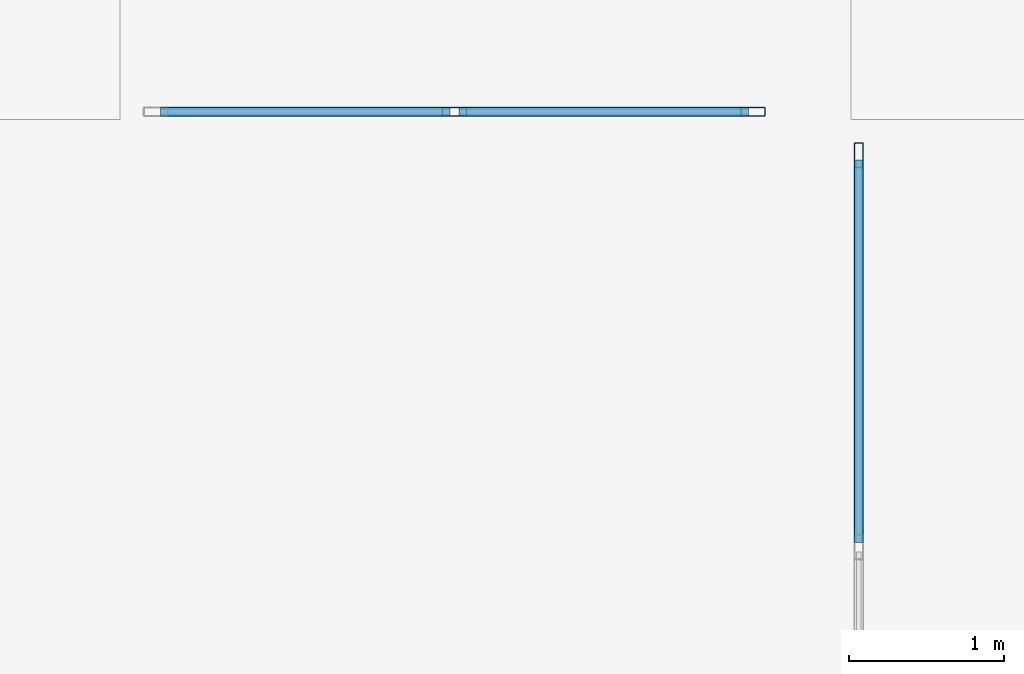
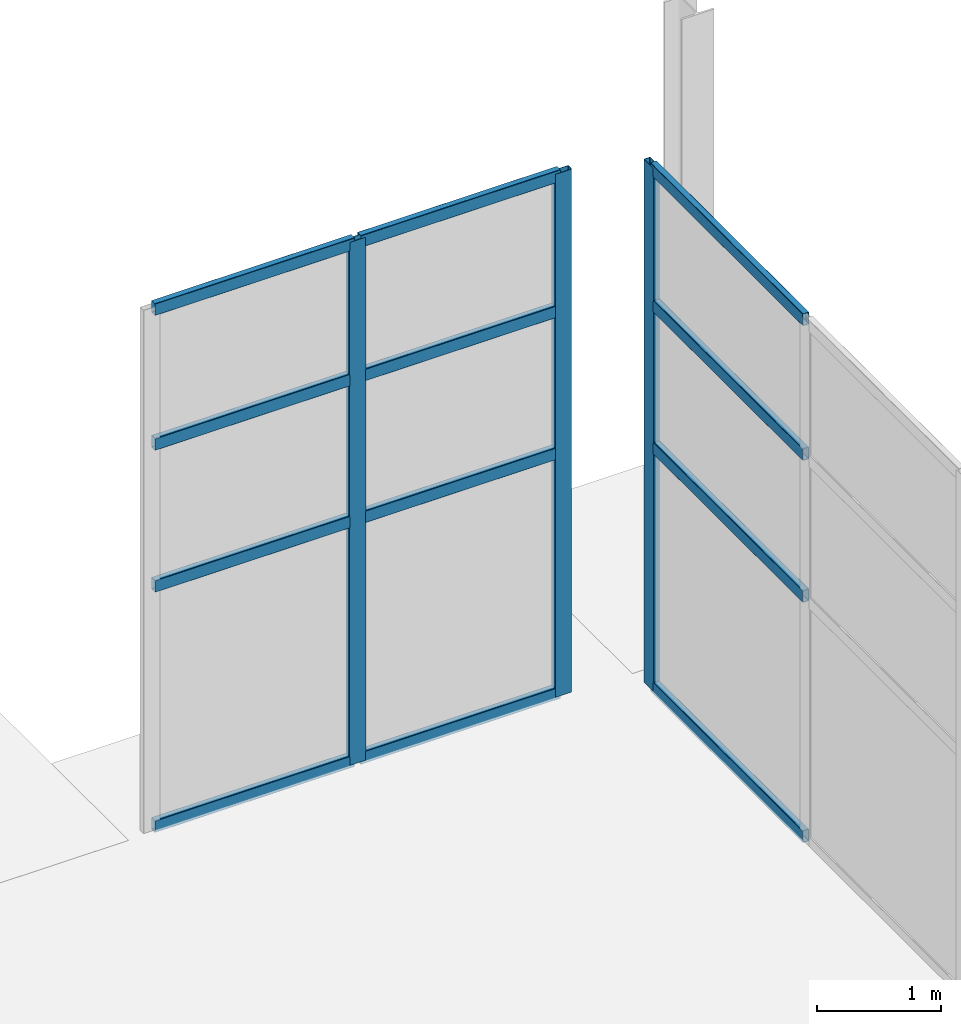
# One storey, part 44 of 91: 15 members, 2 elements without a shape of their own.
"""IFC4 building model written with IfcOpenShell, lengths in metres."""

import ifcopenshell
import ifcopenshell.guid

model = None  # the IFC model being written
_history = None  # IfcOwnerHistory: only IFC2X3 demands one
_inside = {}  # id of a spatial element -> (the spatial element, [elements in it])
_under = {}  # id of a project, library or spatial element -> (it, [spatial elements below it])
_declared = {}  # id of a project -> (the project, [libraries it declares])
_typed = {}  # id of a type object -> (the type object, [elements of that type])
_made_of = {}  # id of a material, layer set ... -> (it, [elements and type objects made of it])


def new_model(schema):
    """Start an empty IFC model of exactly this schema.

    Asked for "IFC4X3", IfcOpenShell would pick the latest addendum, in which some entities
    have other attributes; the version numbers below select the first issue.
    IFC2X3 requires an IfcOwnerHistory on every rooted entity: one is made here for all.
    """
    global model, _history
    if schema == "IFC4X3":
        model = ifcopenshell.file(schema_version=(4, 3, 0, 0))
    else:
        model = ifcopenshell.file(schema=schema)
    _inside.clear()
    _under.clear()
    _declared.clear()
    _typed.clear()
    _made_of.clear()
    _history = None
    if model.schema == "IFC2X3":
        org = make("IfcOrganization", Name="unknown")
        user = make(
            "IfcPersonAndOrganization",
            ThePerson=make("IfcPerson", FamilyName="unknown"),
            TheOrganization=org,
        )
        app = make(
            "IfcApplication",
            ApplicationDeveloper=org,
            Version="unknown",
            ApplicationFullName="unknown",
            ApplicationIdentifier="unknown",
        )
        _history = make(
            "IfcOwnerHistory",
            OwningUser=user,
            OwningApplication=app,
            ChangeAction="ADDED",
            CreationDate=0,
        )
    return model


def make(cls, **values):
    """One entity of the class cls with the attributes given. An attribute that is None is left unset."""
    return model.create_entity(
        cls, **{name: value for name, value in values.items() if value is not None}
    )


def rooted(cls, **values):
    """An entity with a GlobalId (a new one), such as an element, a storey or a relation."""
    return make(cls, GlobalId=ifcopenshell.guid.new(), OwnerHistory=_history, **values)


def si_unit(unit_type, name, prefix=None):
    """IfcSIUnit, for example si_unit("LENGTHUNIT", "METRE", prefix="MILLI")."""
    return make("IfcSIUnit", UnitType=unit_type, Prefix=prefix, Name=name)


def assignment(units):
    """IfcUnitAssignment: the units of a project."""
    return None if units is None else make("IfcUnitAssignment", Units=units)


def point(xyz):
    """IfcCartesianPoint."""
    return None if xyz is None else make("IfcCartesianPoint", Coordinates=xyz)


def direction(xyz):
    """IfcDirection."""
    return None if xyz is None else make("IfcDirection", DirectionRatios=xyz)


def frame(location, z_axis=None, x_axis=None):
    """IfcAxis2Placement3D, a coordinate frame: its origin and axes. An axis left out is left unset."""
    return make(
        "IfcAxis2Placement3D",
        Location=point(location),
        Axis=direction(z_axis),
        RefDirection=direction(x_axis),
    )


def frame_2d(location, x_axis=None):
    """IfcAxis2Placement2D, a coordinate frame in the plane: its origin and x axis."""
    return make(
        "IfcAxis2Placement2D", Location=point(location), RefDirection=direction(x_axis)
    )


def origin():
    """The frame at (0, 0, 0) with its axes left unset."""
    return frame((0.0, 0.0, 0.0))


def origin_2d():
    """The frame at (0, 0) in the plane with its x axis left unset."""
    return frame_2d((0.0, 0.0))


def place(relative_to, where):
    """IfcLocalPlacement: puts the frame where relative to a parent placement (None: the world)."""
    return make(
        "IfcLocalPlacement", PlacementRelTo=relative_to, RelativePlacement=where
    )


def context(
    kind, dimensions, precision=None, world=None, true_north=None, identifier=None
):
    """IfcGeometricRepresentationContext, for example the 3D "Model" context."""
    return make(
        "IfcGeometricRepresentationContext",
        ContextIdentifier=identifier,
        ContextType=kind,
        CoordinateSpaceDimension=dimensions,
        Precision=precision,
        WorldCoordinateSystem=world,
        TrueNorth=true_north,
    )


def subcontext(parent, identifier, kind, view, scale=None):
    """IfcGeometricRepresentationSubContext, for example "Body" below "Model"."""
    return make(
        "IfcGeometricRepresentationSubContext",
        ContextIdentifier=identifier,
        ContextType=kind,
        ParentContext=parent,
        TargetScale=scale,
        TargetView=view,
    )


def project(units=None, contexts=None):
    """IfcProject with its units and contexts."""
    return rooted(
        "IfcProject",
        Name="project",
        RepresentationContexts=contexts,
        UnitsInContext=assignment(units),
    )


def spatial(cls, under=None, at=None, **own):
    """A site, building, storey or space (cls), placed at a placement, below another one or the project."""
    s = rooted(cls, ObjectPlacement=at, **own)
    if under is not None:
        _under.setdefault(under.id(), (under, []))[1].append(s)
    return s


def profile(cls, at=None, kind="AREA", **sizes):
    """A parametric profile (cls). Its sizes go by their IFC names, for example OverallWidth=200.0."""
    return make(cls, ProfileType=kind, Position=at, **sizes)


def hollow_rectangle(**sizes):
    """IfcRectangleHollowProfileDef."""
    return profile("IfcRectangleHollowProfileDef", **sizes)


def extrude(swept, where, along, depth):
    """IfcExtrudedAreaSolid: the profile swept, set in the frame where, extruded along a direction by depth."""
    return make(
        "IfcExtrudedAreaSolid",
        SweptArea=swept,
        Position=where,
        ExtrudedDirection=direction(along),
        Depth=depth,
    )


def shape(context_of_items, identifier, shape_type, items):
    """IfcShapeRepresentation: the items that make up one representation, for example the "Body"."""
    return make(
        "IfcShapeRepresentation",
        ContextOfItems=context_of_items,
        RepresentationIdentifier=identifier,
        RepresentationType=shape_type,
        Items=items,
    )


def material(Name=None, Category=None):
    """IfcMaterial."""
    return make("IfcMaterial", Name=Name, Category=Category)


def material_profile(
    of_material, cross_section, Name=None, Category=None, Priority=None
):
    """IfcMaterialProfile: a cross section and its material."""
    return make(
        "IfcMaterialProfile",
        Name=Name,
        Material=of_material,
        Profile=cross_section,
        Priority=Priority,
        Category=Category,
    )


def profile_set(profiles, Name=None, composite=None):
    """IfcMaterialProfileSet."""
    return make(
        "IfcMaterialProfileSet",
        Name=Name,
        MaterialProfiles=profiles,
        CompositeProfile=composite,
    )


def made_of(thing, what):
    """Note that an element or type object is made of a material, layer set ...; save() writes the relation."""
    if what is not None:
        _made_of.setdefault(what.id(), (what, []))[1].append(thing)
    return thing


def type_object(cls, material=None, **own):
    """A type object (cls), such as IfcWallType, which elements share."""
    return made_of(rooted(cls, **own), material)


def element(
    cls,
    number,
    at=None,
    inside=None,
    cuts=None,
    type_object=None,
    material=None,
    context=None,
    identifier="Body",
    shape_type=None,
    held_by="IfcProductDefinitionShape",
    body=None,
    shapes=None,
    **own,
):
    """One element of the class cls, such as IfcWall. Its Tag is "e" and its number.

    at: its placement. inside: the storey or other place that contains it. cuts: it is an
    opening in that element (IfcRelVoidsElement). A single representation is given by context,
    identifier, shape_type and body (its items); several are given by shapes. held_by: the class
    of the entity that holds the representations. save() writes the other relations.
    """
    e = rooted(cls, Tag="e%d" % number, ObjectPlacement=at, **own)
    if body is not None:
        shapes = [shape(context, identifier, shape_type, body)]
    if shapes is not None:
        e.Representation = make(held_by, Representations=shapes)
    if inside is not None:
        _inside.setdefault(inside.id(), (inside, []))[1].append(e)
    if cuts is not None:
        rooted(
            "IfcRelVoidsElement", RelatingBuildingElement=cuts, RelatedOpeningElement=e
        )
    if type_object is not None:
        _typed.setdefault(type_object.id(), (type_object, []))[1].append(e)
    return made_of(e, material)


def aggregate(whole, parts):
    """IfcRelAggregates: a whole, such as a stair, and the parts it consists of."""
    return rooted("IfcRelAggregates", RelatingObject=whole, RelatedObjects=parts)


def save(model, path):
    """Write the relations noted so far, then the file.

    IfcRelAggregates (storeys below a building ...), IfcRelContainedInSpatialStructure (elements
    in a storey), IfcRelDefinesByType, IfcRelAssociatesMaterial and IfcRelDeclares: one each for
    every whole, place, type object, material and project.
    """
    for whole, parts in _under.values():
        aggregate(whole, parts)
    for where, things in _inside.values():
        rooted(
            "IfcRelContainedInSpatialStructure",
            RelatedElements=things,
            RelatingStructure=where,
        )
    for kind, things in _typed.values():
        rooted("IfcRelDefinesByType", RelatedObjects=things, RelatingType=kind)
    for what, things in _made_of.values():
        rooted("IfcRelAssociatesMaterial", RelatedObjects=things, RelatingMaterial=what)
    for by, libraries in _declared.values():
        rooted("IfcRelDeclares", RelatingContext=by, RelatedDefinitions=libraries)
    model.write(path)


model = new_model("IFC4")

# Units and contexts
model_context = context("Model", 3, precision=1e-05, world=origin(), true_north=direction((0.0, 1.0)))
body_context = subcontext(model_context, "Body", "Model", "MODEL_VIEW")
ifc_project = project(units=[si_unit("LENGTHUNIT", "METRE"), si_unit("AREAUNIT", "SQUARE_METRE"), si_unit("VOLUMEUNIT", "CUBIC_METRE"), si_unit("PLANEANGLEUNIT", "RADIAN"), si_unit("MASSUNIT", "GRAM", prefix="KILO")], contexts=[model_context])

# Site, building, storey
site_placement = place(None, origin())
site = spatial("IfcSite", under=ifc_project, at=site_placement, CompositionType="ELEMENT")
building_placement = place(site_placement, origin())
building = spatial("IfcBuilding", under=site, at=building_placement, Name="Bramveld Media Centre", CompositionType="ELEMENT")
storey_placement = place(building_placement, origin())
storey = spatial("IfcBuildingStorey", under=building, at=storey_placement, Name="L00", CompositionType="ELEMENT", Elevation=0.0)

# Curtain wall, member
ifc_material_1 = material(Name="Thermally broken anodized bronze aluminium unitized curtain wall with solar-control triple glazing", Category="aluminium")
curtain_wall_type_1 = type_object("IfcCurtainWallType", Name="CW-GAL-5100x5160", PredefinedType="NOTDEFINED", material=ifc_material_1)
curtain_wall_1_placement = place(storey_placement, origin())
curtain_wall_1 = element("IfcCurtainWall", 1, at=curtain_wall_1_placement, inside=storey, type_object=curtain_wall_type_1, Name="COLN-E colonnade glazed screen 8", PredefinedType="NOTDEFINED")
ifc_material_2 = material(Name="Thermally broken anodized bronze aluminium EN AW-6063 T6 curtain-wall framing", Category="aluminium")
ifc_material_profile_1 = material_profile(ifc_material_2, hollow_rectangle(XDim=0.06005859375, YDim=0.159912109375, WallThickness=0.00390625, InnerFilletRadius=0.00390625, OuterFilletRadius=0.008056640625, at=origin_2d()), Name="AL-MULL 60x160")
ifc_profile_set_1 = profile_set([ifc_material_profile_1], Name="Thermally broken anodized bronze aluminium EN AW-6063 T6 curtain-wall framing")
member_type_1 = type_object("IfcMemberType", Name="CW-MULL-EXT", PredefinedType="MULLION", material=ifc_profile_set_1)
member_1_placement = place(storey_placement, frame((34.800048828125, 110.52001953125, 0.0), z_axis=(0.0, 0.0, 1.0), x_axis=(-1.0, 0.0, 0.0)))
member_1 = element("IfcMember", 2, at=member_1_placement, type_object=member_type_1, Name="CW-GA-5151 mullion 3", PredefinedType="MULLION", context=body_context, shape_type="SweptSolid", body=[
    extrude(hollow_rectangle(XDim=0.06005859375, YDim=0.159912109375, WallThickness=0.00390625, InnerFilletRadius=0.00390625, OuterFilletRadius=0.008056640625, at=origin_2d()), origin(), (0.0, 0.0, 1.0), 5.159912109375),
])

# Curtain wall, members
ifc_material_3 = material(Name="Thermally broken anodized bronze aluminium unitized curtain wall with solar-control triple glazing", Category="aluminium")
curtain_wall_type_2 = type_object("IfcCurtainWallType", Name="CW-GAL-3900x5160", PredefinedType="NOTDEFINED", material=ifc_material_3)
curtain_wall_2_placement = place(storey_placement, origin())
curtain_wall_2 = element("IfcCurtainWall", 3, at=curtain_wall_2_placement, inside=storey, type_object=curtain_wall_type_2, Name="COLN-N colonnade glazed screen 7", PredefinedType="NOTDEFINED")
member_2_placement = place(storey_placement, frame((32.199951171875, 110.800048828125, 0.0), z_axis=(0.0, 0.0, 1.0), x_axis=(0.0, 1.0, 0.0)))
member_2 = element("IfcMember", 4, at=member_2_placement, type_object=member_type_1, Name="CW-GA-3951 mullion 2", PredefinedType="MULLION", context=body_context, shape_type="SweptSolid", body=[
    extrude(hollow_rectangle(XDim=0.06005859375, YDim=0.159912109375, WallThickness=0.00390625, InnerFilletRadius=0.00390625, OuterFilletRadius=0.008056640625, at=origin_2d()), origin(), (0.0, 0.0, 1.0), 5.159912109375),
])
member_3_placement = place(storey_placement, frame((34.1201171875, 110.800048828125, 0.0), z_axis=(0.0, 0.0, 1.0), x_axis=(0.0, 1.0, 0.0)))
member_3 = element("IfcMember", 5, at=member_3_placement, type_object=member_type_1, Name="CW-GA-3951 mullion 3", PredefinedType="MULLION", context=body_context, shape_type="SweptSolid", body=[
    extrude(hollow_rectangle(XDim=0.06005859375, YDim=0.159912109375, WallThickness=0.00390625, InnerFilletRadius=0.00390625, OuterFilletRadius=0.008056640625, at=origin_2d()), origin(), (0.0, 0.0, 1.0), 5.159912109375),
])

# Member
ifc_material_4 = material(Name="Thermally broken anodized bronze aluminium EN AW-6063 T6 curtain-wall framing", Category="aluminium")
ifc_material_profile_2 = material_profile(ifc_material_4, hollow_rectangle(XDim=0.06005859375, YDim=0.1201171875, WallThickness=0.00341796875, InnerFilletRadius=0.00341796875, OuterFilletRadius=0.007080078125, at=origin_2d()), Name="AL-TRAN 60x120")
ifc_profile_set_2 = profile_set([ifc_material_profile_2], Name="Thermally broken anodized bronze aluminium EN AW-6063 T6 curtain-wall framing")
member_type_2 = type_object("IfcMemberType", Name="CW-TRAN-EXT", PredefinedType="USERDEFINED", material=ifc_profile_set_2)
member_4_placement = place(storey_placement, frame((34.800048828125, 108.030029296875, 0.030029296875), z_axis=(0.0, 1.0, 0.0), x_axis=(-1.0, 0.0, 0.0)))
member_4 = element("IfcMember", 6, at=member_4_placement, type_object=member_type_2, Name="CW-GA-5151 transom 2.1", ObjectType="TRANSOM", PredefinedType="USERDEFINED", context=body_context, shape_type="SweptSolid", body=[
    extrude(hollow_rectangle(XDim=0.06005859375, YDim=0.1201171875, WallThickness=0.00341796875, InnerFilletRadius=0.00341796875, OuterFilletRadius=0.007080078125, at=origin_2d()), origin(), (0.0, 0.0, 1.0), 2.4599609375),
])

member_5_placement = place(storey_placement, frame((34.800048828125, 108.030029296875, 2.39990234375), z_axis=(0.0, 1.0, 0.0), x_axis=(-1.0, 0.0, 0.0)))
member_5 = element("IfcMember", 7, at=member_5_placement, type_object=member_type_2, Name="CW-GA-5151 transom 2.2", ObjectType="TRANSOM", PredefinedType="USERDEFINED", context=body_context, shape_type="SweptSolid", body=[
    extrude(hollow_rectangle(XDim=0.06005859375, YDim=0.1201171875, WallThickness=0.00341796875, InnerFilletRadius=0.00341796875, OuterFilletRadius=0.007080078125, at=origin_2d()), origin(), (0.0, 0.0, 1.0), 2.4599609375),
])

member_6_placement = place(storey_placement, frame((34.800048828125, 108.030029296875, 3.800048828125), z_axis=(0.0, 1.0, 0.0), x_axis=(-1.0, 0.0, 0.0)))
member_6 = element("IfcMember", 8, at=member_6_placement, type_object=member_type_2, Name="CW-GA-5151 transom 2.3", ObjectType="TRANSOM", PredefinedType="USERDEFINED", context=body_context, shape_type="SweptSolid", body=[
    extrude(hollow_rectangle(XDim=0.06005859375, YDim=0.1201171875, WallThickness=0.00341796875, InnerFilletRadius=0.00341796875, OuterFilletRadius=0.007080078125, at=origin_2d()), origin(), (0.0, 0.0, 1.0), 2.4599609375),
])

member_7_placement = place(storey_placement, frame((34.800048828125, 108.030029296875, 5.1298828125), z_axis=(0.0, 1.0, 0.0), x_axis=(-1.0, 0.0, 0.0)))
member_7 = element("IfcMember", 9, at=member_7_placement, type_object=member_type_2, Name="CW-GA-5151 transom 2.4", ObjectType="TRANSOM", PredefinedType="USERDEFINED", context=body_context, shape_type="SweptSolid", body=[
    extrude(hollow_rectangle(XDim=0.06005859375, YDim=0.1201171875, WallThickness=0.00341796875, InnerFilletRadius=0.00341796875, OuterFilletRadius=0.007080078125, at=origin_2d()), origin(), (0.0, 0.0, 1.0), 2.4599609375),
])

aggregate(curtain_wall_1, [member_1, member_4, member_5, member_6, member_7])

member_8_placement = place(storey_placement, frame((30.31005859375, 110.800048828125, 0.030029296875), z_axis=(1.0, 0.0, 0.0), x_axis=(0.0, 1.0, 0.0)))
member_8 = element("IfcMember", 10, at=member_8_placement, type_object=member_type_2, Name="CW-GA-3951 transom 1.1", ObjectType="TRANSOM", PredefinedType="USERDEFINED", context=body_context, shape_type="SweptSolid", body=[
    extrude(hollow_rectangle(XDim=0.06005859375, YDim=0.1201171875, WallThickness=0.00341796875, InnerFilletRadius=0.00341796875, OuterFilletRadius=0.007080078125, at=origin_2d()), origin(), (0.0, 0.0, 1.0), 1.85986328125),
])

member_9_placement = place(storey_placement, frame((30.31005859375, 110.800048828125, 2.39990234375), z_axis=(1.0, 0.0, 0.0), x_axis=(0.0, 1.0, 0.0)))
member_9 = element("IfcMember", 11, at=member_9_placement, type_object=member_type_2, Name="CW-GA-3951 transom 1.2", ObjectType="TRANSOM", PredefinedType="USERDEFINED", context=body_context, shape_type="SweptSolid", body=[
    extrude(hollow_rectangle(XDim=0.06005859375, YDim=0.1201171875, WallThickness=0.00341796875, InnerFilletRadius=0.00341796875, OuterFilletRadius=0.007080078125, at=origin_2d()), origin(), (0.0, 0.0, 1.0), 1.85986328125),
])

member_10_placement = place(storey_placement, frame((30.31005859375, 110.800048828125, 3.800048828125), z_axis=(1.0, 0.0, 0.0), x_axis=(0.0, 1.0, 0.0)))
member_10 = element("IfcMember", 12, at=member_10_placement, type_object=member_type_2, Name="CW-GA-3951 transom 1.3", ObjectType="TRANSOM", PredefinedType="USERDEFINED", context=body_context, shape_type="SweptSolid", body=[
    extrude(hollow_rectangle(XDim=0.06005859375, YDim=0.1201171875, WallThickness=0.00341796875, InnerFilletRadius=0.00341796875, OuterFilletRadius=0.007080078125, at=origin_2d()), origin(), (0.0, 0.0, 1.0), 1.85986328125),
])

member_11_placement = place(storey_placement, frame((30.31005859375, 110.800048828125, 5.1298828125), z_axis=(1.0, 0.0, 0.0), x_axis=(0.0, 1.0, 0.0)))
member_11 = element("IfcMember", 13, at=member_11_placement, type_object=member_type_2, Name="CW-GA-3951 transom 1.4", ObjectType="TRANSOM", PredefinedType="USERDEFINED", context=body_context, shape_type="SweptSolid", body=[
    extrude(hollow_rectangle(XDim=0.06005859375, YDim=0.1201171875, WallThickness=0.00341796875, InnerFilletRadius=0.00341796875, OuterFilletRadius=0.007080078125, at=origin_2d()), origin(), (0.0, 0.0, 1.0), 1.85986328125),
])

member_12_placement = place(storey_placement, frame((32.22998046875, 110.800048828125, 0.030029296875), z_axis=(1.0, 0.0, 0.0), x_axis=(0.0, 1.0, 0.0)))
member_12 = element("IfcMember", 14, at=member_12_placement, type_object=member_type_2, Name="CW-GA-3951 transom 2.1", ObjectType="TRANSOM", PredefinedType="USERDEFINED", context=body_context, shape_type="SweptSolid", body=[
    extrude(hollow_rectangle(XDim=0.06005859375, YDim=0.1201171875, WallThickness=0.00341796875, InnerFilletRadius=0.00341796875, OuterFilletRadius=0.007080078125, at=origin_2d()), origin(), (0.0, 0.0, 1.0), 1.860107421875),
])

member_13_placement = place(storey_placement, frame((32.22998046875, 110.800048828125, 2.39990234375), z_axis=(1.0, 0.0, 0.0), x_axis=(0.0, 1.0, 0.0)))
member_13 = element("IfcMember", 15, at=member_13_placement, type_object=member_type_2, Name="CW-GA-3951 transom 2.2", ObjectType="TRANSOM", PredefinedType="USERDEFINED", context=body_context, shape_type="SweptSolid", body=[
    extrude(hollow_rectangle(XDim=0.06005859375, YDim=0.1201171875, WallThickness=0.00341796875, InnerFilletRadius=0.00341796875, OuterFilletRadius=0.007080078125, at=origin_2d()), origin(), (0.0, 0.0, 1.0), 1.860107421875),
])

member_14_placement = place(storey_placement, frame((32.22998046875, 110.800048828125, 3.800048828125), z_axis=(1.0, 0.0, 0.0), x_axis=(0.0, 1.0, 0.0)))
member_14 = element("IfcMember", 16, at=member_14_placement, type_object=member_type_2, Name="CW-GA-3951 transom 2.3", ObjectType="TRANSOM", PredefinedType="USERDEFINED", context=body_context, shape_type="SweptSolid", body=[
    extrude(hollow_rectangle(XDim=0.06005859375, YDim=0.1201171875, WallThickness=0.00341796875, InnerFilletRadius=0.00341796875, OuterFilletRadius=0.007080078125, at=origin_2d()), origin(), (0.0, 0.0, 1.0), 1.860107421875),
])

member_15_placement = place(storey_placement, frame((32.22998046875, 110.800048828125, 5.1298828125), z_axis=(1.0, 0.0, 0.0), x_axis=(0.0, 1.0, 0.0)))
member_15 = element("IfcMember", 17, at=member_15_placement, type_object=member_type_2, Name="CW-GA-3951 transom 2.4", ObjectType="TRANSOM", PredefinedType="USERDEFINED", context=body_context, shape_type="SweptSolid", body=[
    extrude(hollow_rectangle(XDim=0.06005859375, YDim=0.1201171875, WallThickness=0.00341796875, InnerFilletRadius=0.00341796875, OuterFilletRadius=0.007080078125, at=origin_2d()), origin(), (0.0, 0.0, 1.0), 1.860107421875),
])

aggregate(curtain_wall_2, [member_2, member_3, member_8, member_9, member_10, member_11, member_12, member_13, member_14, member_15])

save(model, "model.ifc")
